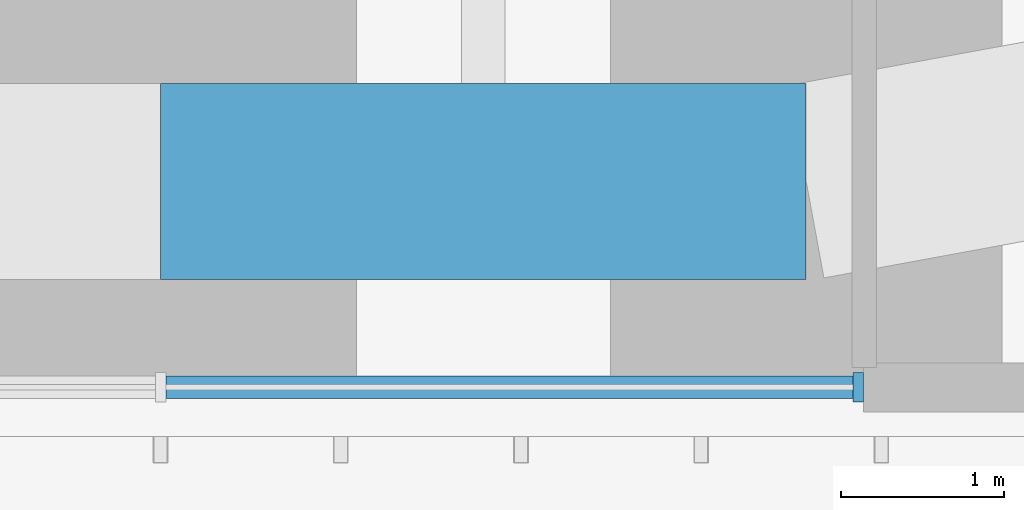
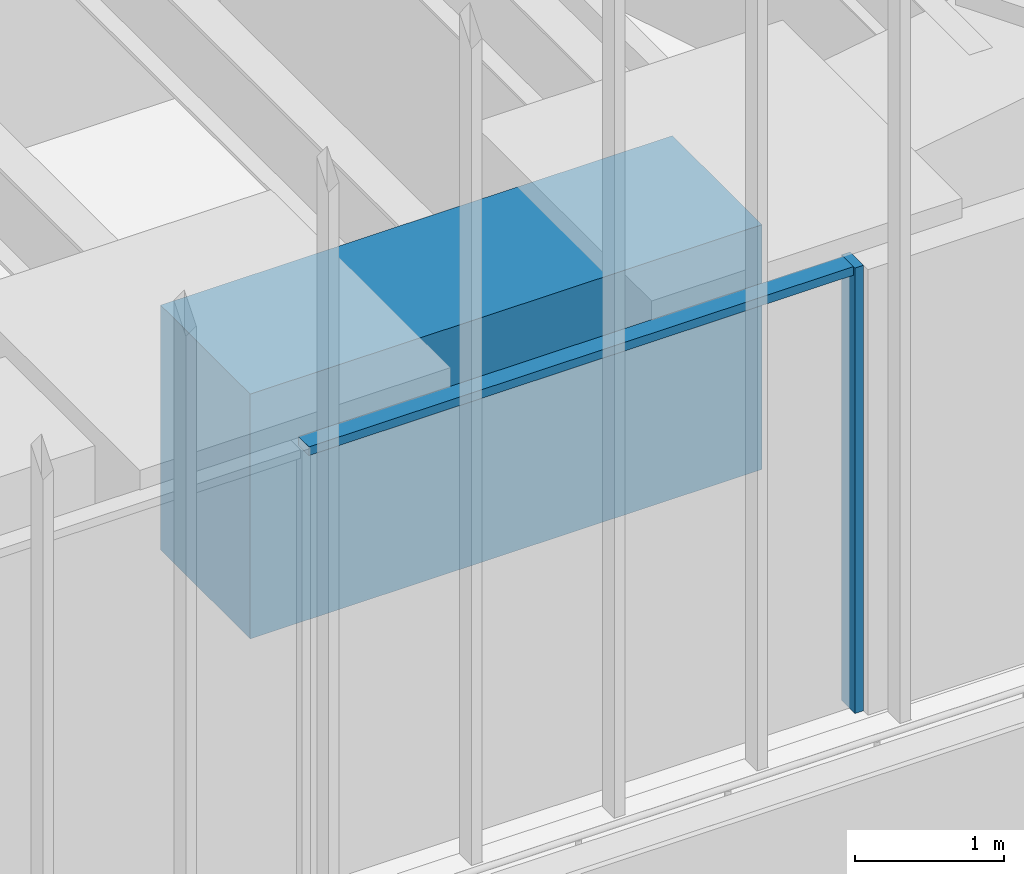
# One storey, part 63 of 238: 2 members, 1 beam, 1 element without a shape of its own.
"""IFC4 building model written with IfcOpenShell, lengths in metres."""

from ifc_helpers import new_model, si_unit, direction, frame, origin, origin_2d, place, context, subcontext, project, spatial, rectangle, extrude, material, material_profile, profile_set, type_object, element, aggregate, save


model = new_model("IFC4")

# Units and contexts
model_context = context("Model", 3, precision=1e-05, world=origin(), true_north=direction((0.0, 1.0)))
body_context = subcontext(model_context, "Body", "Model", "MODEL_VIEW")
ifc_project = project(units=[si_unit("LENGTHUNIT", "METRE"), si_unit("AREAUNIT", "SQUARE_METRE"), si_unit("VOLUMEUNIT", "CUBIC_METRE"), si_unit("PLANEANGLEUNIT", "RADIAN"), si_unit("MASSUNIT", "GRAM", prefix="KILO")], contexts=[model_context])

# Site, building, storey
site_placement = place(None, origin())
site = spatial("IfcSite", under=ifc_project, at=site_placement, CompositionType="ELEMENT")
building_placement = place(site_placement, origin())
building = spatial("IfcBuilding", under=site, at=building_placement, Name="Sandreach Pilgrim Tower", CompositionType="ELEMENT")
storey_placement = place(building_placement, frame((0.0, 0.0, 96.800048828125)))
storey = spatial("IfcBuildingStorey", under=building, at=storey_placement, Name="L23", CompositionType="ELEMENT", Elevation=96.800048828125)

# Curtain wall, members
ifc_material_1 = material(Name="Aluminium framed curtain wall", Category="aluminium")
curtain_wall_type = type_object("IfcCurtainWallType", Name="Hotel tower curtain wall", PredefinedType="NOTDEFINED", material=ifc_material_1)
curtain_wall_placement = place(storey_placement, origin())
curtain_wall = element("IfcCurtainWall", 1, at=curtain_wall_placement, inside=storey, type_object=curtain_wall_type, Name="CW-2 L23 SA", PredefinedType="NOTDEFINED")
ifc_material_2 = material(Name="Aluminium extrusion", Category="aluminium")
ifc_material_profile_1 = material_profile(ifc_material_2, rectangle(XDim=0.06494140625, YDim=0.179931640625, at=origin_2d()), Name="CW-2M 65X180")
ifc_profile_set_1 = profile_set([ifc_material_profile_1], Name="Aluminium extrusion")
member_type_1 = type_object("IfcMemberType", Name="CW-2 mullion", PredefinedType="MULLION", material=ifc_profile_set_1)
member_1_placement = place(storey_placement, frame((4.273193359375, -28.192138671875, 0.0), z_axis=(0.0, 0.0, 1.0), x_axis=(-1.0, 0.0, 0.0)))
member_1 = element("IfcMember", 2, at=member_1_placement, type_object=member_type_1, Name="CW-2 mullion 1", PredefinedType="MULLION", context=body_context, shape_type="SweptSolid", body=[
    extrude(rectangle(XDim=0.06494140625, YDim=0.179931640625, at=origin_2d()), origin(), (0.0, 0.0, 1.0), 3.639892578125),
])
ifc_material_3 = material(Name="Aluminium extrusion", Category="aluminium")
ifc_material_profile_2 = material_profile(ifc_material_3, rectangle(XDim=0.139892578125, YDim=0.070068359375, at=origin_2d()), Name="CW-2T 140X70")
ifc_profile_set_2 = profile_set([ifc_material_profile_2], Name="Aluminium extrusion")
member_type_2 = type_object("IfcMemberType", Name="CW-2 transom", PredefinedType="USERDEFINED", material=ifc_profile_set_2)
member_2_placement = place(storey_placement, frame((4.24072265625, -28.192138671875, 3.60498046875), z_axis=(-1.0, 0.0, 0.0), x_axis=(0.0, -1.0, 0.0)))
member_2 = element("IfcMember", 3, at=member_2_placement, type_object=member_type_2, Name="CW-2 head transom 1", ObjectType="TRANSOM", PredefinedType="USERDEFINED", context=body_context, shape_type="SweptSolid", body=[
    extrude(rectangle(XDim=0.139892578125, YDim=0.070068359375, at=origin_2d()), origin(), (0.0, 0.0, 1.0), 4.208251953125),
])
aggregate(curtain_wall, [member_1, member_2])

# Beam
ifc_material_4 = material(Name="Concrete 10000 psi", Category="concrete")
ifc_material_profile_3 = material_profile(ifc_material_4, rectangle(XDim=1.199951171875, YDim=2.0, at=origin_2d()), Name="RC1200X2000")
ifc_profile_set_3 = profile_set([ifc_material_profile_3], Name="Concrete 10000 psi")
beam_type = type_object("IfcBeamType", Name="Spandrel beam RC1200X2000", PredefinedType="SPANDREL", material=ifc_profile_set_3)
beam_placement = place(storey_placement, frame((3.955322265625, -26.93212890625, 2.639892578125), z_axis=(-1.0, 0.0, 0.0), x_axis=(0.0, -1.0, 0.0)))
element("IfcBeam", 4, at=beam_placement, inside=storey, type_object=beam_type, Name="BM L23 SP23", PredefinedType="SPANDREL", context=body_context, shape_type="SweptSolid", body=[
    extrude(rectangle(XDim=1.199951171875, YDim=2.0, at=origin_2d()), origin(), (0.0, 0.0, 1.0), 3.955322265625),
])

save(model, "model.ifc")
